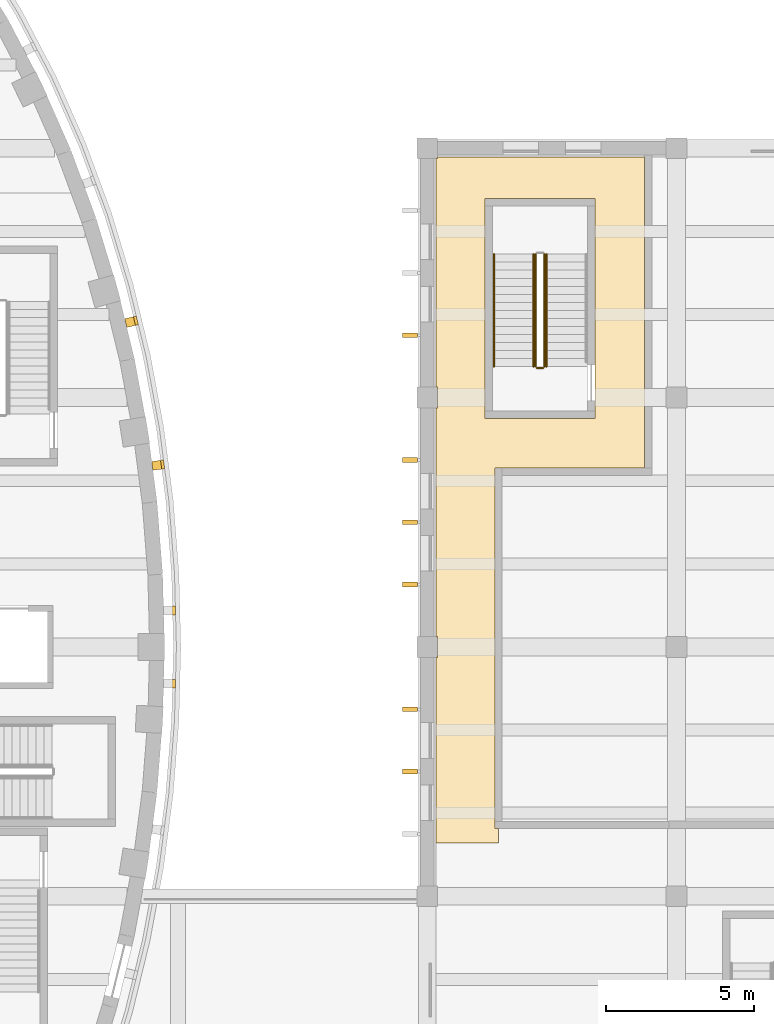
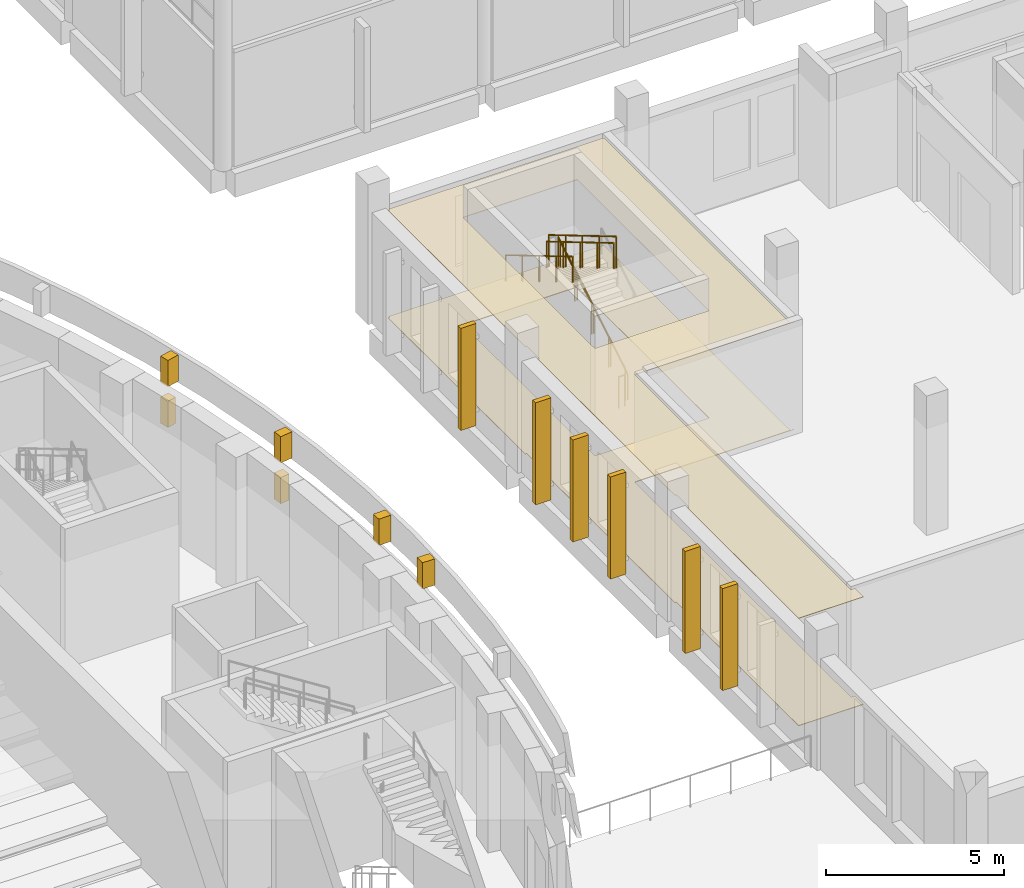
# One storey, part 116 of 119: 14 coverings, 6 railings.
"""IFC4 building model written with IfcOpenShell, lengths in metres."""

from ifc_helpers import new_model, si_unit, direction, frame, origin, origin_2d, place, context, subcontext, project, spatial, polyline, rectangle, circle, outline, extrude, material, layer, layer_set, type_object, element, save


model = new_model("IFC4")

# Units and contexts
model_context = context("Model", 3, precision=1e-05, world=origin(), true_north=direction((0.0, 1.0)))
body_context = subcontext(model_context, "Body", "Model", "MODEL_VIEW")
ifc_project = project(units=[si_unit("LENGTHUNIT", "METRE"), si_unit("AREAUNIT", "SQUARE_METRE"), si_unit("VOLUMEUNIT", "CUBIC_METRE"), si_unit("PLANEANGLEUNIT", "RADIAN"), si_unit("MASSUNIT", "GRAM", prefix="KILO")], contexts=[model_context])

# Site, building, storey
site_placement = place(None, origin())
site = spatial("IfcSite", under=ifc_project, at=site_placement, CompositionType="ELEMENT")
building_placement = place(site_placement, origin())
building = spatial("IfcBuilding", under=site, at=building_placement, Name="Larchfold Concert Hall", CompositionType="ELEMENT")
storey_placement = place(building_placement, frame((0.0, 0.0, 4.800048828125)))
storey = spatial("IfcBuildingStorey", under=building, at=storey_placement, Name="L01", CompositionType="ELEMENT", Elevation=4.800048828125)

# Coverings
ifc_material_1 = material(Name="Mineral fibre ceiling tile")
ifc_layer_1 = layer(ifc_material_1, 0.02001953125)
ifc_layer_set_1 = layer_set([ifc_layer_1], Name="Mineral fibre ceiling tile")
covering_type_1 = type_object("IfcCoveringType", Name="Ceiling mineral fibre tile 20", PredefinedType="CEILING", material=ifc_layer_set_1)
covering_1_placement = place(storey_placement, frame((0.0, 0.0, 3.679931640625)))
element("IfcCovering", 1, at=covering_1_placement, inside=storey, type_object=covering_type_1, Name="Ceiling Corridor 02", PredefinedType="CEILING", context=body_context, shape_type="SweptSolid", body=[
    extrude(outline(polyline([(78.60009765625, 78.0), (78.60009765625, 78.47607421875), (78.47509765625, 78.47607421875), (78.47509765625, 90.625), (83.649169921875, 90.630859375), (83.52392578125, 90.631103515625), (83.52490234375, 101.099853515625), (76.550048828125, 101.099853515625), (76.550048828125, 101.0498046875), (76.5, 101.0498046875), (76.5, 93.35009765625), (76.550048828125, 93.35009765625), (76.550048828125, 92.64990234375), (76.5, 92.64990234375), (76.5, 84.9501953125), (76.550048828125, 84.9501953125), (76.550048828125, 84.25), (76.5, 84.25), (76.5, 78.0), (78.60009765625, 78.0)]), holes=[polyline([(81.85009765625, 99.699951171875), (81.85009765625, 92.300048828125), (78.14990234375, 92.300048828125), (78.14990234375, 99.699951171875), (81.85009765625, 99.699951171875)])]), origin(), (0.0, 0.0, 1.0), 0.02001953125),
])
ifc_material_2 = material(Name="Linoleum sheet")
ifc_layer_2 = layer(ifc_material_2, 0.02001953125)
ifc_layer_set_2 = layer_set([ifc_layer_2], Name="Linoleum sheet")
covering_type_2 = type_object("IfcCoveringType", Name="Floor finish vinyl 20", PredefinedType="FLOORING", material=ifc_layer_set_2)
covering_2_placement = place(storey_placement, origin())
element("IfcCovering", 2, at=covering_2_placement, inside=storey, type_object=covering_type_2, Name="Floor finish Corridor 02", PredefinedType="FLOORING", context=body_context, shape_type="SweptSolid", body=[
    extrude(outline(polyline([(78.60009765625, 78.0), (78.60009765625, 78.47607421875), (78.47509765625, 78.47607421875), (78.47509765625, 90.625), (83.649169921875, 90.630859375), (83.52392578125, 90.631103515625), (83.52490234375, 101.099853515625), (76.550048828125, 101.099853515625), (76.550048828125, 101.0498046875), (76.5, 101.0498046875), (76.5, 93.35009765625), (76.550048828125, 93.35009765625), (76.550048828125, 92.64990234375), (76.5, 92.64990234375), (76.5, 84.9501953125), (76.550048828125, 84.9501953125), (76.550048828125, 84.25), (76.5, 84.25), (76.5, 78.0), (78.60009765625, 78.0)]), holes=[polyline([(81.85009765625, 99.699951171875), (81.85009765625, 92.300048828125), (78.14990234375, 92.300048828125), (78.14990234375, 99.699951171875), (81.85009765625, 99.699951171875)])]), origin(), (0.0, 0.0, 1.0), 0.02001953125),
])
ifc_material_3 = material(Name="Glulam GL30c", Category="wood")
ifc_layer_3 = layer(ifc_material_3, 0.159912109375)
ifc_layer_set_3 = layer_set([ifc_layer_3], Name="Glulam GL30c")
covering_type_3 = type_object("IfcCoveringType", Name="Glulam fin 160x500", PredefinedType="CLADDING", material=ifc_layer_set_3)
covering_3_placement = place(storey_placement, frame((0.0, 0.0, 0.199951171875)))
element("IfcCovering", 3, at=covering_3_placement, inside=storey, type_object=covering_type_3, Name="Glulam fin FN-L01-036", PredefinedType="CLADDING", context=body_context, shape_type="SweptSolid", body=[
    extrude(outline(polyline([(75.875, 95.02001953125), (75.875, 95.179931640625), (75.375, 95.179931640625), (75.375, 95.02001953125), (75.875, 95.02001953125)])), origin(), (0.0, 0.0, 1.0), 3.5),
])
covering_4_placement = place(storey_placement, frame((0.0, 0.0, 0.199951171875)))
element("IfcCovering", 4, at=covering_4_placement, inside=storey, type_object=covering_type_3, Name="Glulam fin FN-L01-039", PredefinedType="CLADDING", context=body_context, shape_type="SweptSolid", body=[
    extrude(outline(polyline([(75.875, 86.6201171875), (75.875, 86.780029296875), (75.375, 86.780029296875), (75.375, 86.6201171875), (75.875, 86.6201171875)])), origin(), (0.0, 0.0, 1.0), 3.5),
])
covering_5_placement = place(storey_placement, frame((0.0, 0.0, 0.199951171875)))
element("IfcCovering", 5, at=covering_5_placement, inside=storey, type_object=covering_type_3, Name="Glulam fin FN-L01-040", PredefinedType="CLADDING", context=body_context, shape_type="SweptSolid", body=[
    extrude(outline(polyline([(75.875, 88.719970703125), (75.875, 88.8798828125), (75.375, 88.8798828125), (75.375, 88.719970703125), (75.875, 88.719970703125)])), origin(), (0.0, 0.0, 1.0), 3.5),
])
covering_6_placement = place(storey_placement, frame((0.0, 0.0, 0.199951171875)))
element("IfcCovering", 6, at=covering_6_placement, inside=storey, type_object=covering_type_3, Name="Glulam fin FN-L01-041", PredefinedType="CLADDING", context=body_context, shape_type="SweptSolid", body=[
    extrude(outline(polyline([(75.875, 90.820068359375), (75.875, 90.97998046875), (75.375, 90.97998046875), (75.375, 90.820068359375), (75.875, 90.820068359375)])), origin(), (0.0, 0.0, 1.0), 3.5),
])
covering_7_placement = place(storey_placement, frame((0.0, 0.0, 0.199951171875)))
element("IfcCovering", 7, at=covering_7_placement, inside=storey, type_object=covering_type_3, Name="Glulam fin FN-L01-043", PredefinedType="CLADDING", context=body_context, shape_type="SweptSolid", body=[
    extrude(outline(polyline([(75.875, 80.320068359375), (75.875, 80.47998046875), (75.375, 80.47998046875), (75.375, 80.320068359375), (75.875, 80.320068359375)])), origin(), (0.0, 0.0, 1.0), 3.5),
])
covering_8_placement = place(storey_placement, frame((0.0, 0.0, 0.199951171875)))
element("IfcCovering", 8, at=covering_8_placement, inside=storey, type_object=covering_type_3, Name="Glulam fin FN-L01-044", PredefinedType="CLADDING", context=body_context, shape_type="SweptSolid", body=[
    extrude(outline(polyline([(75.875, 82.419921875), (75.875, 82.580078125), (75.375, 82.580078125), (75.375, 82.419921875), (75.875, 82.419921875)])), origin(), (0.0, 0.0, 1.0), 3.5),
])
ifc_material_4 = material(Name="Galvanised steel bracket", Category="steel")
ifc_layer_4 = layer(ifc_material_4, 0.300048828125)
ifc_layer_set_4 = layer_set([ifc_layer_4], Name="Galvanised steel bracket")
covering_type_4 = type_object("IfcCoveringType", Name="Ring support bracket", PredefinedType="CLADDING", material=ifc_layer_set_4)
for number, where, z_axis, x_axis, name in (
    (9, (67.08740234375, 90.71826171875, 3.35009765625), (0.0, 0.0, 1.0), (0.991554174709, 0.129693171048, 0.0), "Ring bracket BR-R01-02"),
    (10, (66.190673828125, 95.543212890625, 3.35009765625), (0.0, 0.0, 1.0), (0.971762851638, 0.235959657944, 0.0), "Ring bracket BR-R01-03"),
):
    element("IfcCovering", number, at=place(storey_placement, frame(where, z_axis=z_axis, x_axis=x_axis)), inside=storey, type_object=covering_type_4, Name=name, PredefinedType="CLADDING", context=body_context, shape_type="SweptSolid", body=[
        extrude(rectangle(XDim=0.300048828125, YDim=0.300048828125, at=origin_2d()), origin(), (0.0, 0.0, 1.0), 0.89990234375),
    ])
for number, where, z_axis, x_axis, name in (
    (11, (67.5185546875, 85.828369140625, 4.75), (0.0, 0.0, 1.0), (0.999668605926, 0.025742539211, 0.0), "Ring bracket BR-R02-01"),
    (12, (67.136962890625, 90.724853515625, 4.75), (0.0, 0.0, 1.0), (0.991554174709, 0.129693171048, 0.0), "Ring bracket BR-R02-02"),
    (13, (66.2392578125, 95.554931640625, 4.75), (0.0, 0.0, 1.0), (0.971762851638, 0.235959657944, 0.0), "Ring bracket BR-R02-03"),
    (14, (67.51806640625, 83.3642578125, 4.75), (0.0, 0.0, 1.0), (0.999665014874, -0.025881615792, 0.0), "Ring bracket BR-R02-33"),
):
    element("IfcCovering", number, at=place(storey_placement, frame(where, z_axis=z_axis, x_axis=x_axis)), inside=storey, type_object=covering_type_4, Name=name, PredefinedType="CLADDING", context=body_context, shape_type="SweptSolid", body=[
        extrude(rectangle(XDim=0.39990234375, YDim=0.300048828125, at=origin_2d()), origin(), (0.0, 0.0, 1.0), 0.89990234375),
    ])

# Railings
ifc_material_5 = material(Name="Stainless steel balustrade", Category="steel")
railing_type_1 = type_object("IfcRailingType", Name="Stair guard 1100", PredefinedType="GUARDRAIL", material=ifc_material_5)
railing_1_placement = place(storey_placement, frame((80.150146484375, 94.050048828125, 0.159912109375)))
element("IfcRailing", 15, at=railing_1_placement, inside=storey, type_object=railing_type_1, Name="Guard GR0067", PredefinedType="GUARDRAIL", context=body_context, shape_type="SweptSolid", body=[
    extrude(circle(Radius=0.02392578125, at=origin_2d()), frame((0.0, 0.0, 1.076171875), z_axis=(0.0, 0.860294241299, 0.509797821089), x_axis=(-1.0, 0.0, 0.0)), (0.0, 0.0, 1.0), 4.393798828125),
    extrude(circle(Radius=0.02099609375, at=origin_2d()), origin(), (0.0, 0.0, 1.0), 1.052001953125),
    extrude(circle(Radius=0.02099609375, at=origin_2d()), frame((0.0, 0.945068359375, 0.56005859375)), (0.0, 0.0, 1.0), 1.052001953125),
    extrude(circle(Radius=0.02099609375, at=origin_2d()), frame((0.0, 1.89013671875, 1.1201171875)), (0.0, 0.0, 1.0), 1.052001953125),
    extrude(circle(Radius=0.02099609375, at=origin_2d()), frame((0.0, 2.8349609375, 1.679931640625)), (0.0, 0.0, 1.0), 1.052001953125),
    extrude(circle(Radius=0.02099609375, at=origin_2d()), frame((0.0, 3.780029296875, 2.239990234375)), (0.0, 0.0, 1.0), 1.052001953125),
])
railing_2_placement = place(storey_placement, frame((79.85009765625, 97.830078125, 2.56005859375)))
element("IfcRailing", 16, at=railing_2_placement, inside=storey, type_object=railing_type_1, Name="Guard GR0069", PredefinedType="GUARDRAIL", context=body_context, shape_type="SweptSolid", body=[
    extrude(circle(Radius=0.02392578125, at=origin_2d()), frame((0.0, 0.0, 1.076171875), z_axis=(0.0, -0.860294241299, 0.509797821089), x_axis=(1.0, 0.0, 0.0)), (0.0, 0.0, 1.0), 4.393798828125),
    extrude(circle(Radius=0.02099609375, at=origin_2d()), origin(), (0.0, 0.0, 1.0), 1.052001953125),
    extrude(circle(Radius=0.02099609375, at=origin_2d()), frame((0.0, -0.945068359375, 0.56005859375)), (0.0, 0.0, 1.0), 1.052001953125),
    extrude(circle(Radius=0.02099609375, at=origin_2d()), frame((0.0, -1.89013671875, 1.1201171875)), (0.0, 0.0, 1.0), 1.052001953125),
    extrude(circle(Radius=0.02099609375, at=origin_2d()), frame((0.0, -2.8349609375, 1.679931640625)), (0.0, 0.0, 1.0), 1.052001953125),
    extrude(circle(Radius=0.02099609375, at=origin_2d()), frame((0.0, -3.780029296875, 2.239990234375)), (0.0, 0.0, 1.0), 1.052001953125),
])
railing_3_placement = place(storey_placement, frame((80.10009765625, 94.0, 0.0)))
element("IfcRailing", 17, at=railing_3_placement, inside=storey, type_object=railing_type_1, Name="Guard GR0070", PredefinedType="GUARDRAIL", context=body_context, shape_type="SweptSolid", body=[
    extrude(circle(Radius=0.02392578125, at=origin_2d()), frame((0.0, 0.0, 1.076171875), z_axis=(-1.0, 0.0, 0.0), x_axis=(0.0, -1.0, 0.0)), (0.0, 0.0, 1.0), 0.199951171875),
    extrude(circle(Radius=0.02099609375, at=origin_2d()), origin(), (0.0, 0.0, 1.0), 1.052001953125),
    extrude(circle(Radius=0.02099609375, at=origin_2d()), frame((-0.199951171875, 0.0, 0.0)), (0.0, 0.0, 1.0), 1.052001953125),
])
ifc_material_6 = material(Name="Stainless steel handrail", Category="steel")
railing_type_2 = type_object("IfcRailingType", Name="Stair handrail 900", PredefinedType="HANDRAIL", material=ifc_material_6)
railing_4_placement = place(storey_placement, frame((78.4501953125, 97.830078125, 2.56005859375)))
element("IfcRailing", 18, at=railing_4_placement, inside=storey, type_object=railing_type_2, Name="Handrail HR0066", PredefinedType="HANDRAIL", context=body_context, shape_type="SweptSolid", body=[
    extrude(circle(Radius=0.02392578125, at=origin_2d()), frame((0.0, 0.0, 0.8759765625), z_axis=(0.0, -0.860294241299, 0.509797821089), x_axis=(1.0, 0.0, 0.0)), (0.0, 0.0, 1.0), 4.393798828125),
    extrude(circle(Radius=0.02099609375, at=origin_2d()), origin(), (0.0, 0.0, 1.0), 0.851806640625),
    extrude(circle(Radius=0.02099609375, at=origin_2d()), frame((0.0, -0.945068359375, 0.56005859375)), (0.0, 0.0, 1.0), 0.851806640625),
    extrude(circle(Radius=0.02099609375, at=origin_2d()), frame((0.0, -1.89013671875, 1.1201171875)), (0.0, 0.0, 1.0), 0.851806640625),
    extrude(circle(Radius=0.02099609375, at=origin_2d()), frame((0.0, -2.8349609375, 1.679931640625)), (0.0, 0.0, 1.0), 0.851806640625),
    extrude(circle(Radius=0.02099609375, at=origin_2d()), frame((0.0, -3.780029296875, 2.239990234375)), (0.0, 0.0, 1.0), 0.851806640625),
])
railing_5_placement = place(storey_placement, frame((80.22021484375, 94.050048828125, 0.159912109375)))
element("IfcRailing", 19, at=railing_5_placement, inside=storey, type_object=railing_type_2, Name="Handrail HR0067", PredefinedType="HANDRAIL", context=body_context, shape_type="SweptSolid", body=[
    extrude(circle(Radius=0.02392578125, at=origin_2d()), frame((0.0, 0.0, 0.8759765625), z_axis=(0.0, 0.860294241299, 0.509797821089), x_axis=(-1.0, 0.0, 0.0)), (0.0, 0.0, 1.0), 4.393798828125),
    extrude(circle(Radius=0.02099609375, at=origin_2d()), origin(), (0.0, 0.0, 1.0), 0.851806640625),
    extrude(circle(Radius=0.02099609375, at=origin_2d()), frame((0.0, 0.945068359375, 0.56005859375)), (0.0, 0.0, 1.0), 0.851806640625),
    extrude(circle(Radius=0.02099609375, at=origin_2d()), frame((0.0, 1.89013671875, 1.1201171875)), (0.0, 0.0, 1.0), 0.851806640625),
    extrude(circle(Radius=0.02099609375, at=origin_2d()), frame((0.0, 2.8349609375, 1.679931640625)), (0.0, 0.0, 1.0), 0.851806640625),
    extrude(circle(Radius=0.02099609375, at=origin_2d()), frame((0.0, 3.780029296875, 2.239990234375)), (0.0, 0.0, 1.0), 0.851806640625),
])
railing_6_placement = place(storey_placement, frame((79.780029296875, 97.830078125, 2.56005859375)))
element("IfcRailing", 20, at=railing_6_placement, inside=storey, type_object=railing_type_2, Name="Handrail HR0068", PredefinedType="HANDRAIL", context=body_context, shape_type="SweptSolid", body=[
    extrude(circle(Radius=0.02392578125, at=origin_2d()), frame((0.0, 0.0, 0.8759765625), z_axis=(0.0, -0.860294241299, 0.509797821089), x_axis=(1.0, 0.0, 0.0)), (0.0, 0.0, 1.0), 4.393798828125),
    extrude(circle(Radius=0.02099609375, at=origin_2d()), origin(), (0.0, 0.0, 1.0), 0.851806640625),
    extrude(circle(Radius=0.02099609375, at=origin_2d()), frame((0.0, -0.945068359375, 0.56005859375)), (0.0, 0.0, 1.0), 0.851806640625),
    extrude(circle(Radius=0.02099609375, at=origin_2d()), frame((0.0, -1.89013671875, 1.1201171875)), (0.0, 0.0, 1.0), 0.851806640625),
    extrude(circle(Radius=0.02099609375, at=origin_2d()), frame((0.0, -2.8349609375, 1.679931640625)), (0.0, 0.0, 1.0), 0.851806640625),
    extrude(circle(Radius=0.02099609375, at=origin_2d()), frame((0.0, -3.780029296875, 2.239990234375)), (0.0, 0.0, 1.0), 0.851806640625),
])

save(model, "model.ifc")
